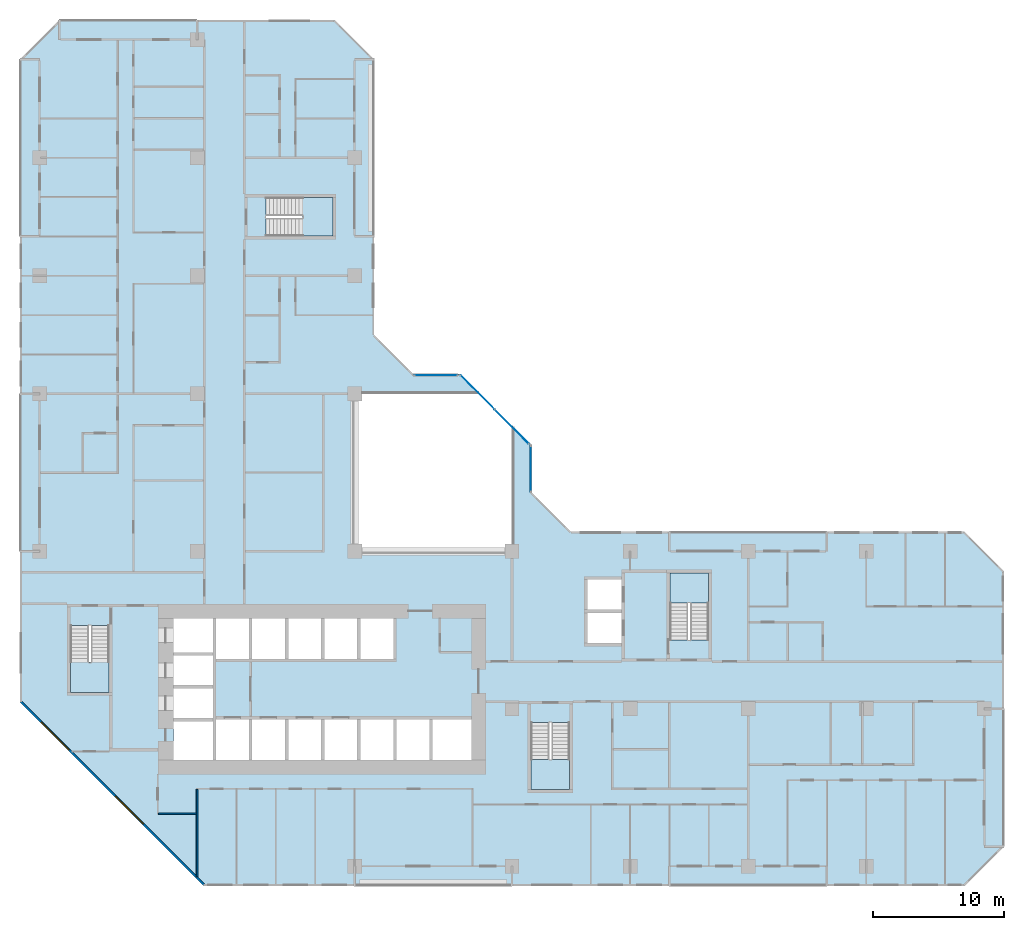
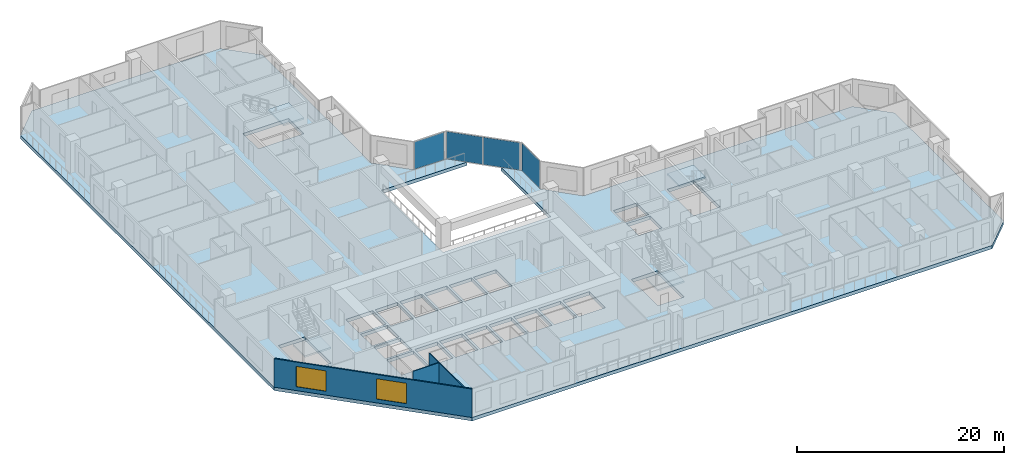
# One storey, part 3 of 15: 5 slabs, 4 plates, 3 walls, 2 windows, 2 openings, 7 elements without a shape of their own.
"""IFC4 building model written with IfcOpenShell, lengths in metres."""

import ifcopenshell
import ifcopenshell.guid

model = None  # the IFC model being written
_history = None  # IfcOwnerHistory: only IFC2X3 demands one
_inside = {}  # id of a spatial element -> (the spatial element, [elements in it])
_under = {}  # id of a project, library or spatial element -> (it, [spatial elements below it])
_declared = {}  # id of a project -> (the project, [libraries it declares])
_typed = {}  # id of a type object -> (the type object, [elements of that type])
_made_of = {}  # id of a material, layer set ... -> (it, [elements and type objects made of it])


def new_model(schema):
    """Start an empty IFC model of exactly this schema.

    Asked for "IFC4X3", IfcOpenShell would pick the latest addendum, in which some entities
    have other attributes; the version numbers below select the first issue.
    IFC2X3 requires an IfcOwnerHistory on every rooted entity: one is made here for all.
    """
    global model, _history
    if schema == "IFC4X3":
        model = ifcopenshell.file(schema_version=(4, 3, 0, 0))
    else:
        model = ifcopenshell.file(schema=schema)
    _inside.clear()
    _under.clear()
    _declared.clear()
    _typed.clear()
    _made_of.clear()
    _history = None
    if model.schema == "IFC2X3":
        org = make("IfcOrganization", Name="unknown")
        user = make(
            "IfcPersonAndOrganization",
            ThePerson=make("IfcPerson", FamilyName="unknown"),
            TheOrganization=org,
        )
        app = make(
            "IfcApplication",
            ApplicationDeveloper=org,
            Version="unknown",
            ApplicationFullName="unknown",
            ApplicationIdentifier="unknown",
        )
        _history = make(
            "IfcOwnerHistory",
            OwningUser=user,
            OwningApplication=app,
            ChangeAction="ADDED",
            CreationDate=0,
        )
    return model


def make(cls, **values):
    """One entity of the class cls with the attributes given. An attribute that is None is left unset."""
    return model.create_entity(
        cls, **{name: value for name, value in values.items() if value is not None}
    )


def rooted(cls, **values):
    """An entity with a GlobalId (a new one), such as an element, a storey or a relation."""
    return make(cls, GlobalId=ifcopenshell.guid.new(), OwnerHistory=_history, **values)


def si_unit(unit_type, name, prefix=None):
    """IfcSIUnit, for example si_unit("LENGTHUNIT", "METRE", prefix="MILLI")."""
    return make("IfcSIUnit", UnitType=unit_type, Prefix=prefix, Name=name)


def assignment(units):
    """IfcUnitAssignment: the units of a project."""
    return None if units is None else make("IfcUnitAssignment", Units=units)


def point(xyz):
    """IfcCartesianPoint."""
    return None if xyz is None else make("IfcCartesianPoint", Coordinates=xyz)


def direction(xyz):
    """IfcDirection."""
    return None if xyz is None else make("IfcDirection", DirectionRatios=xyz)


def frame(location, z_axis=None, x_axis=None):
    """IfcAxis2Placement3D, a coordinate frame: its origin and axes. An axis left out is left unset."""
    return make(
        "IfcAxis2Placement3D",
        Location=point(location),
        Axis=direction(z_axis),
        RefDirection=direction(x_axis),
    )


def frame_2d(location, x_axis=None):
    """IfcAxis2Placement2D, a coordinate frame in the plane: its origin and x axis."""
    return make(
        "IfcAxis2Placement2D", Location=point(location), RefDirection=direction(x_axis)
    )


def origin():
    """The frame at (0, 0, 0) with its axes left unset."""
    return frame((0.0, 0.0, 0.0))


def origin_2d():
    """The frame at (0, 0) in the plane with its x axis left unset."""
    return frame_2d((0.0, 0.0))


def place(relative_to, where):
    """IfcLocalPlacement: puts the frame where relative to a parent placement (None: the world)."""
    return make(
        "IfcLocalPlacement", PlacementRelTo=relative_to, RelativePlacement=where
    )


def context(
    kind, dimensions, precision=None, world=None, true_north=None, identifier=None
):
    """IfcGeometricRepresentationContext, for example the 3D "Model" context."""
    return make(
        "IfcGeometricRepresentationContext",
        ContextIdentifier=identifier,
        ContextType=kind,
        CoordinateSpaceDimension=dimensions,
        Precision=precision,
        WorldCoordinateSystem=world,
        TrueNorth=true_north,
    )


def subcontext(parent, identifier, kind, view, scale=None):
    """IfcGeometricRepresentationSubContext, for example "Body" below "Model"."""
    return make(
        "IfcGeometricRepresentationSubContext",
        ContextIdentifier=identifier,
        ContextType=kind,
        ParentContext=parent,
        TargetScale=scale,
        TargetView=view,
    )


def project(units=None, contexts=None):
    """IfcProject with its units and contexts."""
    return rooted(
        "IfcProject",
        Name="project",
        RepresentationContexts=contexts,
        UnitsInContext=assignment(units),
    )


def spatial(cls, under=None, at=None, **own):
    """A site, building, storey or space (cls), placed at a placement, below another one or the project."""
    s = rooted(cls, ObjectPlacement=at, **own)
    if under is not None:
        _under.setdefault(under.id(), (under, []))[1].append(s)
    return s


def polyline(points):
    """IfcPolyline through the points."""
    return make("IfcPolyline", Points=[point(p) for p in points])


def profile(cls, at=None, kind="AREA", **sizes):
    """A parametric profile (cls). Its sizes go by their IFC names, for example OverallWidth=200.0."""
    return make(cls, ProfileType=kind, Position=at, **sizes)


def rectangle(**sizes):
    """IfcRectangleProfileDef."""
    return profile("IfcRectangleProfileDef", **sizes)


def outline(outer, holes=None, kind="AREA"):
    """IfcArbitraryClosedProfileDef: a profile drawn as a closed curve; with holes, ...WithVoids."""
    if holes is None:
        return make("IfcArbitraryClosedProfileDef", ProfileType=kind, OuterCurve=outer)
    return make(
        "IfcArbitraryProfileDefWithVoids",
        ProfileType=kind,
        OuterCurve=outer,
        InnerCurves=holes,
    )


def extrude(swept, where, along, depth):
    """IfcExtrudedAreaSolid: the profile swept, set in the frame where, extruded along a direction by depth."""
    return make(
        "IfcExtrudedAreaSolid",
        SweptArea=swept,
        Position=where,
        ExtrudedDirection=direction(along),
        Depth=depth,
    )


def shape(context_of_items, identifier, shape_type, items):
    """IfcShapeRepresentation: the items that make up one representation, for example the "Body"."""
    return make(
        "IfcShapeRepresentation",
        ContextOfItems=context_of_items,
        RepresentationIdentifier=identifier,
        RepresentationType=shape_type,
        Items=items,
    )


def material(Name=None, Category=None):
    """IfcMaterial."""
    return make("IfcMaterial", Name=Name, Category=Category)


def layer(
    of_material, thickness, ventilated=None, Name=None, Category=None, Priority=None
):
    """IfcMaterialLayer: one layer of a wall or slab, of a material (None: an air gap)."""
    return make(
        "IfcMaterialLayer",
        Material=of_material,
        LayerThickness=thickness,
        IsVentilated=ventilated,
        Name=Name,
        Category=Category,
        Priority=Priority,
    )


def layer_set(layers, Name=None):
    """IfcMaterialLayerSet."""
    return make("IfcMaterialLayerSet", MaterialLayers=layers, LayerSetName=Name)


def made_of(thing, what):
    """Note that an element or type object is made of a material, layer set ...; save() writes the relation."""
    if what is not None:
        _made_of.setdefault(what.id(), (what, []))[1].append(thing)
    return thing


def type_object(cls, material=None, **own):
    """A type object (cls), such as IfcWallType, which elements share."""
    return made_of(rooted(cls, **own), material)


def element(
    cls,
    number,
    at=None,
    inside=None,
    cuts=None,
    type_object=None,
    material=None,
    context=None,
    identifier="Body",
    shape_type=None,
    held_by="IfcProductDefinitionShape",
    body=None,
    shapes=None,
    **own,
):
    """One element of the class cls, such as IfcWall. Its Tag is "e" and its number.

    at: its placement. inside: the storey or other place that contains it. cuts: it is an
    opening in that element (IfcRelVoidsElement). A single representation is given by context,
    identifier, shape_type and body (its items); several are given by shapes. held_by: the class
    of the entity that holds the representations. save() writes the other relations.
    """
    e = rooted(cls, Tag="e%d" % number, ObjectPlacement=at, **own)
    if body is not None:
        shapes = [shape(context, identifier, shape_type, body)]
    if shapes is not None:
        e.Representation = make(held_by, Representations=shapes)
    if inside is not None:
        _inside.setdefault(inside.id(), (inside, []))[1].append(e)
    if cuts is not None:
        rooted(
            "IfcRelVoidsElement", RelatingBuildingElement=cuts, RelatedOpeningElement=e
        )
    if type_object is not None:
        _typed.setdefault(type_object.id(), (type_object, []))[1].append(e)
    return made_of(e, material)


def fill(opening, filler):
    """IfcRelFillsElement: the door or window that sits in an opening."""
    return rooted(
        "IfcRelFillsElement",
        RelatingOpeningElement=opening,
        RelatedBuildingElement=filler,
    )


def aggregate(whole, parts):
    """IfcRelAggregates: a whole, such as a stair, and the parts it consists of."""
    return rooted("IfcRelAggregates", RelatingObject=whole, RelatedObjects=parts)


def save(model, path):
    """Write the relations noted so far, then the file.

    IfcRelAggregates (storeys below a building ...), IfcRelContainedInSpatialStructure (elements
    in a storey), IfcRelDefinesByType, IfcRelAssociatesMaterial and IfcRelDeclares: one each for
    every whole, place, type object, material and project.
    """
    for whole, parts in _under.values():
        aggregate(whole, parts)
    for where, things in _inside.values():
        rooted(
            "IfcRelContainedInSpatialStructure",
            RelatedElements=things,
            RelatingStructure=where,
        )
    for kind, things in _typed.values():
        rooted("IfcRelDefinesByType", RelatedObjects=things, RelatingType=kind)
    for what, things in _made_of.values():
        rooted("IfcRelAssociatesMaterial", RelatedObjects=things, RelatingMaterial=what)
    for by, libraries in _declared.values():
        rooted("IfcRelDeclares", RelatingContext=by, RelatedDefinitions=libraries)
    model.write(path)


model = new_model("IFC4")

# Units and contexts
model_context = context("Model", 3, precision=1e-05, world=origin(), true_north=direction((0.0, 1.0)))
body_context = subcontext(model_context, "Body", "Model", "MODEL_VIEW")
ifc_project = project(units=[si_unit("LENGTHUNIT", "METRE"), si_unit("AREAUNIT", "SQUARE_METRE"), si_unit("VOLUMEUNIT", "CUBIC_METRE"), si_unit("PLANEANGLEUNIT", "RADIAN"), si_unit("MASSUNIT", "GRAM", prefix="KILO")], contexts=[model_context])

# Site, building, storey
site_placement = place(None, origin())
site = spatial("IfcSite", under=ifc_project, at=site_placement, CompositionType="ELEMENT")
building_placement = place(site_placement, origin())
building = spatial("IfcBuilding", under=site, at=building_placement, Name="Chenar Terraces", CompositionType="ELEMENT")
storey_placement = place(building_placement, frame((0.0, 0.0, 67.64990234375)))
storey = spatial("IfcBuildingStorey", under=building, at=storey_placement, Name="L14", CompositionType="ELEMENT", Elevation=67.64990234375)

# Curtain wall, plate
ifc_material_1 = material(Name="Aluminium framed glazing", Category="aluminium")
ifc_layer_1 = layer(ifc_material_1, 0.14990234375)
ifc_layer_set_1 = layer_set([ifc_layer_1], Name="Aluminium framed glazing")
curtain_wall_type = type_object("IfcCurtainWallType", Name="Atrium curtain wall", PredefinedType="NOTDEFINED", material=ifc_layer_set_1)
placement_1 = place(storey_placement, origin())
curtain_wall_1 = element("IfcCurtainWall", 1, at=placement_1, inside=storey, type_object=curtain_wall_type, Name="Atrium curtain wall", PredefinedType="NOTDEFINED")
ifc_material_2 = material(Name="Low emissivity laminated glass, solar control coating", Category="glass")
ifc_layer_2 = layer(ifc_material_2, 0.028076171875)
ifc_layer_set_2 = layer_set([ifc_layer_2], Name="Low emissivity laminated glass, solar control coating")
plate_type = type_object("IfcPlateType", Name="Atrium glazing panel 28", PredefinedType="CURTAIN_PANEL", material=ifc_layer_set_2)
plate_1_placement = place(storey_placement, frame((37.425048828125, 30.300048828125, 0.06005859375), z_axis=(0.0, 0.0, 1.0), x_axis=(0.0, 1.0, 0.0)))
plate_1 = element("IfcPlate", 2, at=plate_1_placement, type_object=plate_type, Name="CW1-1 panel 1.1", PredefinedType="CURTAIN_PANEL", context=body_context, shape_type="SweptSolid", body=[
    extrude(rectangle(XDim=3.47998046875, YDim=0.028076171875, at=origin_2d()), origin(), (0.0, 0.0, 1.0), 3.22998046875),
])
aggregate(curtain_wall_1, [plate_1])

# Curtain wall, plates
curtain_wall_2 = element("IfcCurtainWall", 3, at=placement_1, inside=storey, type_object=curtain_wall_type, Name="Atrium curtain wall", PredefinedType="NOTDEFINED")
plate_2_placement = place(storey_placement, frame((35.980224609375, 33.513671875, 0.06005859375), z_axis=(0.0, 0.0, 1.0), x_axis=(-0.707106781187, 0.707106781187, 0.0)))
plate_2 = element("IfcPlate", 4, at=plate_2_placement, type_object=plate_type, Name="CW1-2 panel 1.1", PredefinedType="CURTAIN_PANEL", context=body_context, shape_type="SweptSolid", body=[
    extrude(rectangle(XDim=3.62841796875, YDim=0.028076171875, at=origin_2d()), origin(), (0.0, 0.0, 1.0), 3.22998046875),
])
plate_3_placement = place(storey_placement, frame((33.3720703125, 36.121826171875, 0.06005859375), z_axis=(0.0, 0.0, 1.0), x_axis=(-0.707106781187, 0.707106781187, 0.0)))
plate_3 = element("IfcPlate", 5, at=plate_3_placement, type_object=plate_type, Name="CW1-2 panel 2.1", PredefinedType="CURTAIN_PANEL", context=body_context, shape_type="SweptSolid", body=[
    extrude(rectangle(XDim=3.62841796875, YDim=0.028076171875, at=origin_2d()), origin(), (0.0, 0.0, 1.0), 3.22998046875),
])
aggregate(curtain_wall_2, [plate_2, plate_3])

# Curtain wall, plate
curtain_wall_3 = element("IfcCurtainWall", 6, at=placement_1, inside=storey, type_object=curtain_wall_type, Name="Atrium curtain wall", PredefinedType="NOTDEFINED")
plate_4_placement = place(storey_placement, frame((30.199951171875, 37.425048828125, 0.06005859375), z_axis=(0.0, 0.0, 1.0), x_axis=(-1.0, 0.0, 0.0)))
plate_4 = element("IfcPlate", 7, at=plate_4_placement, type_object=plate_type, Name="CW1-3 panel 1.1", PredefinedType="CURTAIN_PANEL", context=body_context, shape_type="SweptSolid", body=[
    extrude(rectangle(XDim=3.280029296875, YDim=0.028076171875, at=origin_2d()), origin(), (0.0, 0.0, 1.0), 3.22998046875),
])
aggregate(curtain_wall_3, [plate_4])

# Stair, slab
ifc_material_3 = material(Name="Reinforced concrete C40/50", Category="concrete")
stair_type = type_object("IfcStairType", Name="Core stair 1400 half-turn", PredefinedType="HALF_TURN_STAIR", material=ifc_material_3)
stair_1 = element("IfcStair", 8, at=placement_1, inside=storey, type_object=stair_type, Name="L14 Stair 1", PredefinedType="HALF_TURN_STAIR")
ifc_material_4 = material(Name="Reinforced concrete C40/50", Category="concrete")
ifc_layer_3 = layer(ifc_material_4, 0.199951171875)
ifc_layer_set_3 = layer_set([ifc_layer_3], Name="Reinforced concrete C40/50")
slab_type_1 = type_object("IfcSlabType", Name="Core stair landing 200", PredefinedType="LANDING", material=ifc_layer_set_3)
placement_2 = place(storey_placement, frame((0.0, 0.0, 1.675048828125)))
slab_1 = element("IfcSlab", 9, at=placement_2, type_object=slab_type_1, Name="ST1 landing 1", PredefinedType="LANDING", context=body_context, shape_type="SweptSolid", body=[
    extrude(outline(polyline([(2.35009765625, 15.550048828125), (2.35009765625, 13.25), (5.300048828125, 13.25), (5.300048828125, 15.550048828125), (2.35009765625, 15.550048828125)])), origin(), (0.0, 0.0, 1.0), 0.199951171875),
])
aggregate(stair_1, [slab_1])

stair_2 = element("IfcStair", 10, at=placement_1, inside=storey, type_object=stair_type, Name="L14 Stair 2", PredefinedType="HALF_TURN_STAIR")
slab_2 = element("IfcSlab", 11, at=placement_2, type_object=slab_type_1, Name="ST2 landing 1", PredefinedType="LANDING", context=body_context, shape_type="SweptSolid", body=[
    extrude(outline(polyline([(37.449951171875, 8.14990234375), (37.449951171875, 5.85009765625), (40.39990234375, 5.85009765625), (40.39990234375, 8.14990234375), (37.449951171875, 8.14990234375)])), origin(), (0.0, 0.0, 1.0), 0.199951171875),
])
aggregate(stair_2, [slab_2])

stair_3 = element("IfcStair", 12, at=placement_1, inside=storey, type_object=stair_type, Name="L14 Stair 3", PredefinedType="HALF_TURN_STAIR")
slab_3 = element("IfcSlab", 13, at=placement_2, type_object=slab_type_1, Name="ST3 landing 1", PredefinedType="LANDING", context=body_context, shape_type="SweptSolid", body=[
    extrude(outline(polyline([(50.97509765625, 20.050048828125), (50.97509765625, 22.35009765625), (48.02490234375, 22.35009765625), (48.02490234375, 20.050048828125), (50.97509765625, 20.050048828125)])), origin(), (0.0, 0.0, 1.0), 0.199951171875),
])
aggregate(stair_3, [slab_3])

stair_4 = element("IfcStair", 14, at=placement_1, inside=storey, type_object=stair_type, Name="L14 Stair 4", PredefinedType="HALF_TURN_STAIR")
slab_4 = element("IfcSlab", 15, at=placement_2, type_object=slab_type_1, Name="ST4 landing 1", PredefinedType="LANDING", context=body_context, shape_type="SweptSolid", body=[
    extrude(outline(polyline([(20.050048828125, 48.02490234375), (22.35009765625, 48.02490234375), (22.35009765625, 50.97509765625), (20.050048828125, 50.97509765625), (20.050048828125, 48.02490234375)])), origin(), (0.0, 0.0, 1.0), 0.199951171875),
])
aggregate(stair_4, [slab_4])

# Slab
ifc_material_5 = material(Name="Concrete C40/50", Category="concrete")
ifc_layer_4 = layer(ifc_material_5, 0.39990234375)
ifc_layer_set_4 = layer_set([ifc_layer_4], Name="Concrete C40/50")
slab_type_2 = type_object("IfcSlabType", Name="Floor slab 400 Concrete C40/50", PredefinedType="FLOOR", material=ifc_layer_set_4)
slab_5_placement = place(storey_placement, frame((0.0, 0.0, -0.39990234375)))
element("IfcSlab", 16, at=slab_5_placement, inside=storey, type_object=slab_type_2, Name="Floor slab L14", PredefinedType="FLOOR", context=body_context, shape_type="SweptSolid", body=[
    extrude(outline(polyline([(73.5, 22.5), (73.5, 1.5), (70.5, -1.5), (12.5, -1.5), (-1.5, 12.5), (-1.5, 61.5), (1.5, 64.5), (22.5, 64.5), (25.5, 61.5), (25.5, 40.5), (28.5, 37.5), (32.10009765625, 37.5), (33.60009765625, 36.0), (24.0, 36.0), (24.0, 24.0), (36.0, 24.0), (36.0, 33.60009765625), (37.5, 32.10009765625), (37.5, 28.5), (40.5, 25.5), (70.5, 25.5), (73.5, 22.5)]), holes=[polyline([(13.199951171875, 11.050048828125), (10.199951171875, 11.050048828125), (10.199951171875, 8.10009765625), (13.199951171875, 8.10009765625), (13.199951171875, 11.050048828125)]), polyline([(15.949951171875, 11.199951171875), (13.449951171875, 11.199951171875), (13.449951171875, 8.10009765625), (15.949951171875, 8.10009765625), (15.949951171875, 11.199951171875)]), polyline([(18.699951171875, 11.199951171875), (16.199951171875, 11.199951171875), (16.199951171875, 8.10009765625), (18.699951171875, 8.10009765625), (18.699951171875, 11.199951171875)]), polyline([(21.449951171875, 8.10009765625), (21.449951171875, 11.199951171875), (18.949951171875, 11.199951171875), (18.949951171875, 8.10009765625), (21.449951171875, 8.10009765625)]), polyline([(13.199951171875, 11.300048828125), (13.199951171875, 13.550048828125), (10.199951171875, 13.550048828125), (10.199951171875, 11.300048828125), (13.199951171875, 11.300048828125)]), polyline([(13.199951171875, 16.050048828125), (10.199951171875, 16.050048828125), (10.199951171875, 13.800048828125), (13.199951171875, 13.800048828125), (13.199951171875, 16.050048828125)]), polyline([(2.35009765625, 18.35009765625), (2.35009765625, 13.25), (5.300048828125, 13.25), (5.300048828125, 18.35009765625), (2.35009765625, 18.35009765625)]), polyline([(15.949951171875, 15.800048828125), (15.949951171875, 18.89990234375), (13.449951171875, 18.89990234375), (13.449951171875, 15.800048828125), (15.949951171875, 15.800048828125)]), polyline([(18.699951171875, 18.89990234375), (16.199951171875, 18.89990234375), (16.199951171875, 15.800048828125), (18.699951171875, 15.800048828125), (18.699951171875, 18.89990234375)]), polyline([(21.449951171875, 15.800048828125), (21.449951171875, 18.89990234375), (18.949951171875, 18.89990234375), (18.949951171875, 15.800048828125), (21.449951171875, 15.800048828125)]), polyline([(13.199951171875, 16.300048828125), (13.199951171875, 18.89990234375), (10.199951171875, 18.89990234375), (10.199951171875, 16.300048828125), (13.199951171875, 16.300048828125)]), polyline([(22.35009765625, 48.02490234375), (22.35009765625, 50.97509765625), (17.25, 50.97509765625), (17.25, 48.02490234375), (22.35009765625, 48.02490234375)]), polyline([(37.449951171875, 10.949951171875), (37.449951171875, 5.85009765625), (40.39990234375, 5.85009765625), (40.39990234375, 10.949951171875), (37.449951171875, 10.949951171875)]), polyline([(24.199951171875, 8.10009765625), (24.199951171875, 11.199951171875), (21.699951171875, 11.199951171875), (21.699951171875, 8.10009765625), (24.199951171875, 8.10009765625)]), polyline([(26.949951171875, 11.199951171875), (24.449951171875, 11.199951171875), (24.449951171875, 8.10009765625), (26.949951171875, 8.10009765625), (26.949951171875, 11.199951171875)]), polyline([(29.699951171875, 8.10009765625), (29.699951171875, 11.199951171875), (27.199951171875, 11.199951171875), (27.199951171875, 8.10009765625), (29.699951171875, 8.10009765625)]), polyline([(32.89990234375, 8.10009765625), (32.89990234375, 11.199951171875), (29.949951171875, 11.199951171875), (29.949951171875, 8.10009765625), (32.89990234375, 8.10009765625)]), polyline([(24.199951171875, 18.89990234375), (21.699951171875, 18.89990234375), (21.699951171875, 15.800048828125), (24.199951171875, 15.800048828125), (24.199951171875, 18.89990234375)]), polyline([(26.949951171875, 15.800048828125), (26.949951171875, 18.89990234375), (24.449951171875, 18.89990234375), (24.449951171875, 15.800048828125), (26.949951171875, 15.800048828125)]), polyline([(44.35009765625, 17.0), (44.35009765625, 19.300048828125), (41.75, 19.300048828125), (41.75, 17.0), (44.35009765625, 17.0)]), polyline([(50.97509765625, 22.35009765625), (48.02490234375, 22.35009765625), (48.02490234375, 17.25), (50.97509765625, 17.25), (50.97509765625, 22.35009765625)]), polyline([(44.35009765625, 19.550048828125), (44.35009765625, 21.85009765625), (41.75, 21.85009765625), (41.75, 19.550048828125), (44.35009765625, 19.550048828125)])]), origin(), (0.0, 0.0, 1.0), 0.39990234375),
])

# Walls
ifc_material_6 = material(Name="Gypsum board on steel studs", Category="steel")
ifc_layer_5 = layer(ifc_material_6, 0.10009765625)
ifc_layer_set_5 = layer_set([ifc_layer_5], Name="Gypsum board on steel studs")
wall_type_1 = type_object("IfcWallType", Name="Gypsum partition 100", PredefinedType="PARTITIONING", material=ifc_layer_set_5)
wall_1_placement = place(storey_placement, frame((9.050048828125, 4.0, 0.0), z_axis=(0.0, 0.0, 1.0), x_axis=(1.0, 0.0, 0.0)))
element("IfcWall", 17, at=wall_1_placement, inside=storey, type_object=wall_type_1, Name="Partition L14-028", PredefinedType="PARTITIONING", context=body_context, shape_type="SweptSolid", body=[
    extrude(rectangle(XDim=2.89990234375, YDim=0.10009765625, at=frame_2d((1.449951171875, 0.0))), origin(), (0.0, 0.0, 1.0), 3.35009765625),
])
wall_2_placement = place(storey_placement, frame((12.0, -0.787841796875, 0.0), z_axis=(0.0, 0.0, 1.0), x_axis=(0.0, 1.0, 0.0)))
element("IfcWall", 18, at=wall_2_placement, inside=storey, type_object=wall_type_1, Name="Partition L14-030", PredefinedType="PARTITIONING", context=body_context, shape_type="SweptSolid", body=[
    extrude(rectangle(XDim=6.637939453125, YDim=0.10009765625, at=frame_2d((3.31884765625, 0.0))), origin(), (0.0, 0.0, 1.0), 3.35009765625),
])

# Wall, openings, windows
ifc_material_7 = material(Name="Terracotta cladding on insulated backing", Category="masonry")
ifc_layer_6 = layer(ifc_material_7, 0.14990234375)
ifc_layer_set_6 = layer_set([ifc_layer_6], Name="Terracotta cladding on insulated backing")
wall_type_2 = type_object("IfcWallType", Name="Terracotta rainscreen wall 150", PredefinedType="SOLIDWALL", material=ifc_layer_set_6)
wall_3_placement = place(storey_placement, frame((-1.447021484375, 12.552978515625, 0.0), z_axis=(0.0, 0.0, 1.0), x_axis=(0.707106781187, -0.707106781187, 0.0)))
wall_3 = element("IfcWall", 19, at=wall_3_placement, inside=storey, type_object=wall_type_2, Name="Terracotta rainscreen wall", PredefinedType="SOLIDWALL", context=body_context, shape_type="SweptSolid", body=[
    extrude(rectangle(XDim=19.799072265625, YDim=0.14990234375, at=frame_2d((9.8994140625, 0.0))), origin(), (0.0, 0.0, 1.0), 3.35009765625),
])
opening_1_placement = place(wall_3_placement, frame((2.21240234375, 0.0, 0.449951171875)))
opening_1 = element("IfcOpeningElement", 20, at=opening_1_placement, cuts=wall_3, Name="Opening W300x240", PredefinedType="OPENING", context=body_context, shape_type="SweptSolid", body=[
    extrude(rectangle(XDim=3.0, YDim=2.39990234375, at=frame_2d((1.5, 1.199951171875))), frame((0.0, 0.0849609375, 0.0), z_axis=(0.0, -1.0, 0.0), x_axis=(1.0, 0.0, 0.0)), (0.0, 0.0, 1.0), 0.169921875),
])
opening_2_placement = place(wall_3_placement, frame((10.215576171875, 0.0, 0.449951171875)))
opening_2 = element("IfcOpeningElement", 21, at=opening_2_placement, cuts=wall_3, Name="Opening W300x240", PredefinedType="OPENING", context=body_context, shape_type="SweptSolid", body=[
    extrude(rectangle(XDim=3.0, YDim=2.39990234375, at=frame_2d((1.5, 1.199951171875))), frame((0.0, 0.0849609375, 0.0), z_axis=(0.0, -1.0, 0.0), x_axis=(1.0, 0.0, 0.0)), (0.0, 0.0, 1.0), 0.169921875),
])
ifc_material_8 = material(Name="Low emissivity double glazing, aluminium frame", Category="aluminium")
window_type = type_object("IfcWindowType", Name="Fixed light 3000 x 2400", PartitioningType="SINGLE_PANEL", PredefinedType="WINDOW", material=ifc_material_8)
window_1_placement = place(opening_1_placement, origin())
window_1 = element("IfcWindow", 22, at=window_1_placement, inside=storey, type_object=window_type, Name="Window", OverallHeight=2.39990234375, OverallWidth=3.0, PartitioningType="SINGLE_PANEL", PredefinedType="WINDOW", context=body_context, shape_type="SweptSolid", body=[
    extrude(rectangle(XDim=3.0, YDim=2.39990234375, at=frame_2d((1.5, 1.199951171875))), frame((0.0, 0.030029296875, 0.0), z_axis=(0.0, -1.0, 0.0), x_axis=(1.0, 0.0, 0.0)), (0.0, 0.0, 1.0), 0.06005859375),
])
fill(opening_1, window_1)
window_2_placement = place(opening_2_placement, origin())
window_2 = element("IfcWindow", 23, at=window_2_placement, inside=storey, type_object=window_type, Name="Window", OverallHeight=2.39990234375, OverallWidth=3.0, PartitioningType="SINGLE_PANEL", PredefinedType="WINDOW", context=body_context, shape_type="SweptSolid", body=[
    extrude(rectangle(XDim=3.0, YDim=2.39990234375, at=frame_2d((1.5, 1.199951171875))), frame((0.0, 0.030029296875, 0.0), z_axis=(0.0, -1.0, 0.0), x_axis=(1.0, 0.0, 0.0)), (0.0, 0.0, 1.0), 0.06005859375),
])
fill(opening_2, window_2)

save(model, "model.ifc")
